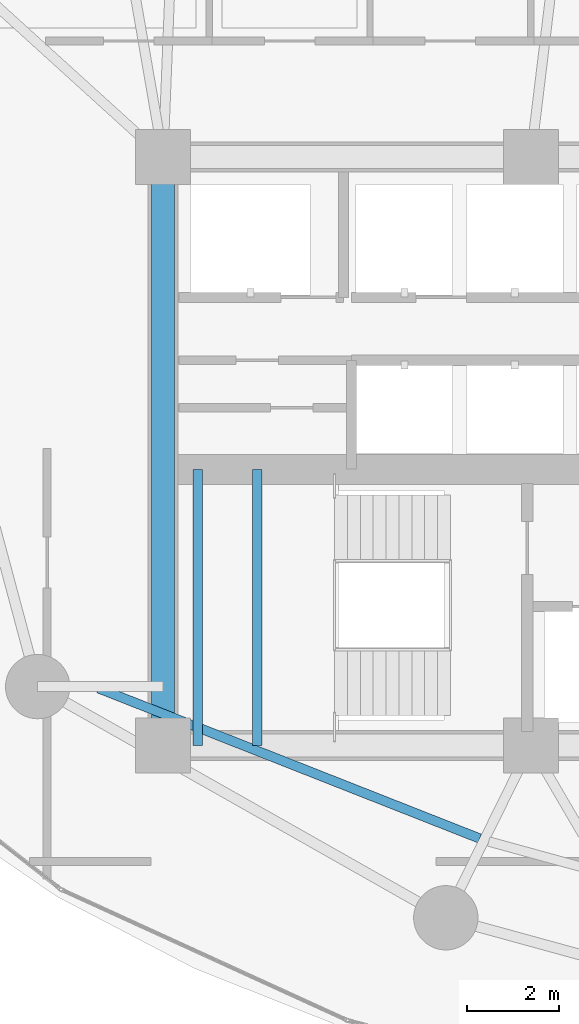
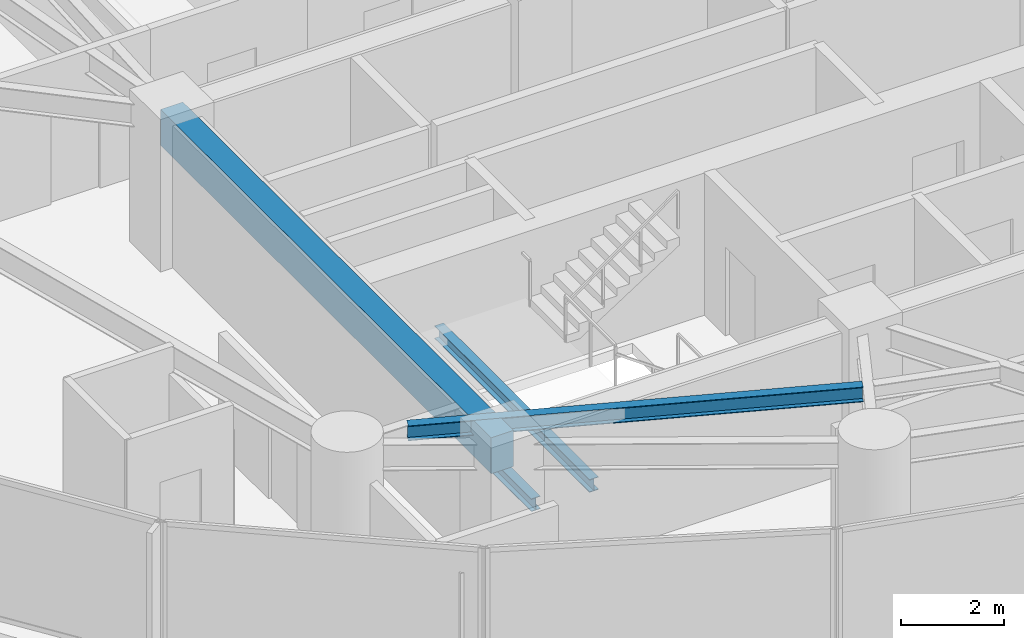
# One storey, part 4 of 31: 4 beams.
"""IFC4 building model written with IfcOpenShell, lengths in metres."""

from ifc_helpers import new_model, si_unit, direction, frame, origin, origin_2d, place, context, subcontext, project, spatial, rectangle, i_section, extrude, material, material_profile, profile_set, type_object, element, save


model = new_model("IFC4")

# Units and contexts
model_context = context("Model", 3, precision=1e-05, world=origin(), true_north=direction((0.0, 1.0)))
body_context = subcontext(model_context, "Body", "Model", "MODEL_VIEW")
ifc_project = project(units=[si_unit("LENGTHUNIT", "METRE"), si_unit("AREAUNIT", "SQUARE_METRE"), si_unit("VOLUMEUNIT", "CUBIC_METRE"), si_unit("PLANEANGLEUNIT", "RADIAN"), si_unit("MASSUNIT", "GRAM", prefix="KILO")], contexts=[model_context])

# Site, building, storey
site_placement = place(None, origin())
site = spatial("IfcSite", under=ifc_project, at=site_placement, CompositionType="ELEMENT")
building_placement = place(site_placement, origin())
building = spatial("IfcBuilding", under=site, at=building_placement, Name="Kazevale Care Tower and Concert Hall", CompositionType="ELEMENT")
storey_placement = place(building_placement, frame((0.0, 0.0, 63.60009765625)))
storey = spatial("IfcBuildingStorey", under=building, at=storey_placement, Name="L16", CompositionType="ELEMENT", Elevation=63.60009765625)

# Beams
ifc_material_1 = material(Name="Concrete C60", Category="concrete")
ifc_material_profile_1 = material_profile(ifc_material_1, rectangle(XDim=0.5, YDim=0.85009765625, at=origin_2d()), Name="RC-B500x850")
ifc_profile_set_1 = profile_set([ifc_material_profile_1], Name="Concrete C60")
beam_type_1 = type_object("IfcBeamType", Name="Core Coupling Beam RC500x850", PredefinedType="LINTEL", material=ifc_profile_set_1)
beam_1_placement = place(storey_placement, frame((22.0, 36.39990234375, 2.934814453125), z_axis=(0.0, -1.0, 0.0), x_axis=(1.0, 0.0, 0.0)))
element("IfcBeam", 1, at=beam_1_placement, inside=storey, type_object=beam_type_1, Name="beam:L16:coretie:8", PredefinedType="LINTEL", context=body_context, shape_type="SweptSolid", body=[
    extrude(rectangle(XDim=0.5, YDim=0.85009765625, at=origin_2d()), origin(), (0.0, 0.0, 1.0), 12.7998046875),
])
ifc_material_2 = material(Name="Steel ASTM A572 Gr 50", Category="steel")
ifc_material_profile_2 = material_profile(ifc_material_2, i_section(OverallWidth=0.205078125, OverallDepth=0.35400390625, WebThickness=0.009521484375, FlangeThickness=0.016845703125, at=origin_2d()), Name="W360x79")
ifc_profile_set_2 = profile_set([ifc_material_profile_2], Name="Steel ASTM A572 Gr 50")
beam_type_2 = type_object("IfcBeamType", Name="Secondary Floor Joist W360x79", PredefinedType="JOIST", material=ifc_profile_set_2)
beam_2_placement = place(storey_placement, frame((20.595947265625, 24.842041015625, 3.182861328125), z_axis=(0.930380638802, -0.366594963062, 0.0), x_axis=(0.366594963062, 0.930380638802, 0.0)))
element("IfcBeam", 2, at=beam_2_placement, inside=storey, type_object=beam_type_2, Name="beam:L16:joist:10", PredefinedType="JOIST", context=body_context, shape_type="SweptSolid", body=[
    extrude(i_section(OverallWidth=0.205078125, OverallDepth=0.35400390625, WebThickness=0.009521484375, FlangeThickness=0.016845703125, at=origin_2d()), origin(), (0.0, 0.0, 1.0), 8.909423828125),
])
ifc_material_profile_3 = material_profile(ifc_material_2, i_section(OverallWidth=0.202880859375, OverallDepth=0.302978515625, WebThickness=0.007568359375, FlangeThickness=0.01318359375, at=origin_2d()), Name="W310x60")
ifc_profile_set_3 = profile_set([ifc_material_profile_3], Name="Steel ASTM A572 Gr 50")
beam_type_3 = type_object("IfcBeamType", Name="Stair & Balcony Trimmer W310x60", PredefinedType="BEAM", material=ifc_profile_set_3)
for number, where, z_axis, x_axis, name in (
    (3, (22.75, 23.60009765625, 1.448486328125), (0.0, 1.0, 0.0), (-1.0, 0.0, 0.0), "beam:L16:sttrim:ST1"),
    (4, (24.050048828125, 23.60009765625, 1.448486328125), (0.0, 1.0, 0.0), (-1.0, 0.0, 0.0), "beam:L16:sttrim:ST1b"),
):
    element("IfcBeam", number, at=place(storey_placement, frame(where, z_axis=z_axis, x_axis=x_axis)), inside=storey, type_object=beam_type_3, Name=name, PredefinedType="BEAM", context=body_context, shape_type="SweptSolid", body=[
        extrude(i_section(OverallWidth=0.202880859375, OverallDepth=0.302978515625, WebThickness=0.007568359375, FlangeThickness=0.01318359375, at=origin_2d()), origin(), (0.0, 0.0, 1.0), 6.0),
    ])

save(model, "model.ifc")
